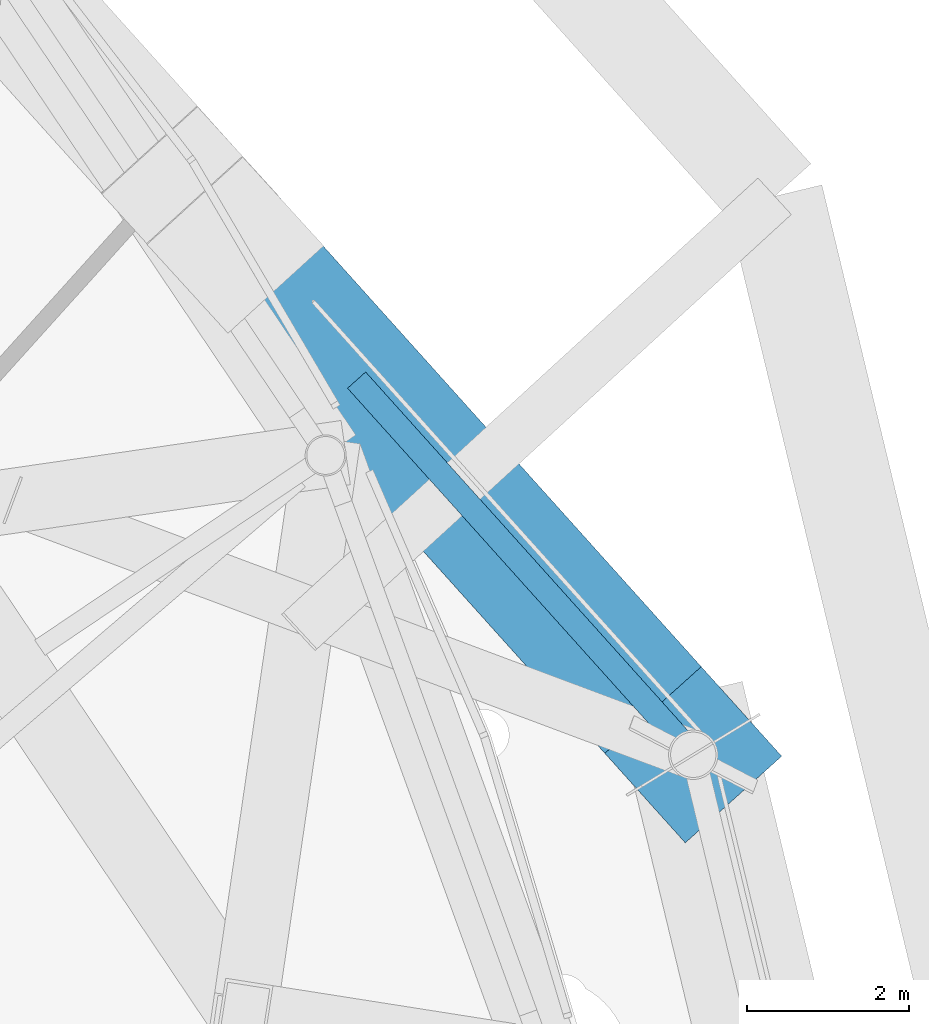
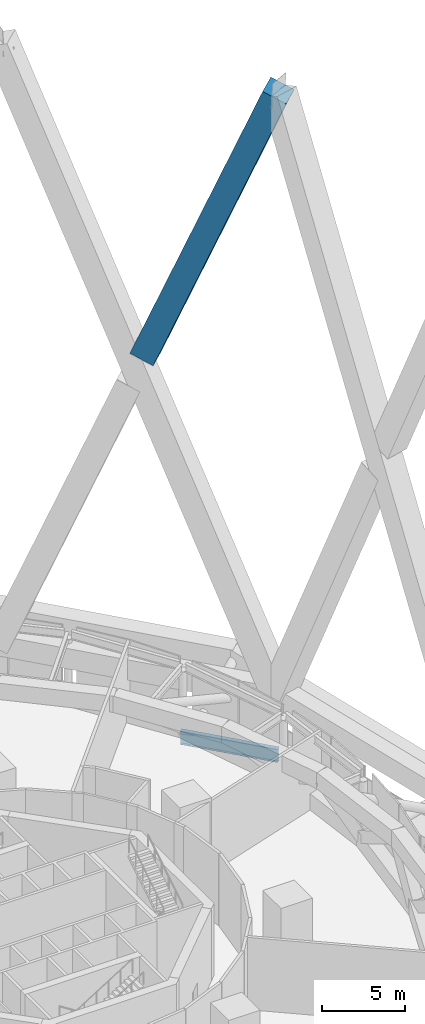
# One storey, part 37 of 65: 1 beam, 1 member.
"""IFC4 building model written with IfcOpenShell, lengths in metres."""

import ifcopenshell
import ifcopenshell.guid

model = None  # the IFC model being written
_history = None  # IfcOwnerHistory: only IFC2X3 demands one
_inside = {}  # id of a spatial element -> (the spatial element, [elements in it])
_under = {}  # id of a project, library or spatial element -> (it, [spatial elements below it])
_declared = {}  # id of a project -> (the project, [libraries it declares])
_typed = {}  # id of a type object -> (the type object, [elements of that type])
_made_of = {}  # id of a material, layer set ... -> (it, [elements and type objects made of it])


def new_model(schema):
    """Start an empty IFC model of exactly this schema.

    Asked for "IFC4X3", IfcOpenShell would pick the latest addendum, in which some entities
    have other attributes; the version numbers below select the first issue.
    IFC2X3 requires an IfcOwnerHistory on every rooted entity: one is made here for all.
    """
    global model, _history
    if schema == "IFC4X3":
        model = ifcopenshell.file(schema_version=(4, 3, 0, 0))
    else:
        model = ifcopenshell.file(schema=schema)
    _inside.clear()
    _under.clear()
    _declared.clear()
    _typed.clear()
    _made_of.clear()
    _history = None
    if model.schema == "IFC2X3":
        org = make("IfcOrganization", Name="unknown")
        user = make(
            "IfcPersonAndOrganization",
            ThePerson=make("IfcPerson", FamilyName="unknown"),
            TheOrganization=org,
        )
        app = make(
            "IfcApplication",
            ApplicationDeveloper=org,
            Version="unknown",
            ApplicationFullName="unknown",
            ApplicationIdentifier="unknown",
        )
        _history = make(
            "IfcOwnerHistory",
            OwningUser=user,
            OwningApplication=app,
            ChangeAction="ADDED",
            CreationDate=0,
        )
    return model


def make(cls, **values):
    """One entity of the class cls with the attributes given. An attribute that is None is left unset."""
    return model.create_entity(
        cls, **{name: value for name, value in values.items() if value is not None}
    )


def rooted(cls, **values):
    """An entity with a GlobalId (a new one), such as an element, a storey or a relation."""
    return make(cls, GlobalId=ifcopenshell.guid.new(), OwnerHistory=_history, **values)


def si_unit(unit_type, name, prefix=None):
    """IfcSIUnit, for example si_unit("LENGTHUNIT", "METRE", prefix="MILLI")."""
    return make("IfcSIUnit", UnitType=unit_type, Prefix=prefix, Name=name)


def assignment(units):
    """IfcUnitAssignment: the units of a project."""
    return None if units is None else make("IfcUnitAssignment", Units=units)


def point(xyz):
    """IfcCartesianPoint."""
    return None if xyz is None else make("IfcCartesianPoint", Coordinates=xyz)


def direction(xyz):
    """IfcDirection."""
    return None if xyz is None else make("IfcDirection", DirectionRatios=xyz)


def frame(location, z_axis=None, x_axis=None):
    """IfcAxis2Placement3D, a coordinate frame: its origin and axes. An axis left out is left unset."""
    return make(
        "IfcAxis2Placement3D",
        Location=point(location),
        Axis=direction(z_axis),
        RefDirection=direction(x_axis),
    )


def frame_2d(location, x_axis=None):
    """IfcAxis2Placement2D, a coordinate frame in the plane: its origin and x axis."""
    return make(
        "IfcAxis2Placement2D", Location=point(location), RefDirection=direction(x_axis)
    )


def origin():
    """The frame at (0, 0, 0) with its axes left unset."""
    return frame((0.0, 0.0, 0.0))


def origin_2d():
    """The frame at (0, 0) in the plane with its x axis left unset."""
    return frame_2d((0.0, 0.0))


def place(relative_to, where):
    """IfcLocalPlacement: puts the frame where relative to a parent placement (None: the world)."""
    return make(
        "IfcLocalPlacement", PlacementRelTo=relative_to, RelativePlacement=where
    )


def context(
    kind, dimensions, precision=None, world=None, true_north=None, identifier=None
):
    """IfcGeometricRepresentationContext, for example the 3D "Model" context."""
    return make(
        "IfcGeometricRepresentationContext",
        ContextIdentifier=identifier,
        ContextType=kind,
        CoordinateSpaceDimension=dimensions,
        Precision=precision,
        WorldCoordinateSystem=world,
        TrueNorth=true_north,
    )


def subcontext(parent, identifier, kind, view, scale=None):
    """IfcGeometricRepresentationSubContext, for example "Body" below "Model"."""
    return make(
        "IfcGeometricRepresentationSubContext",
        ContextIdentifier=identifier,
        ContextType=kind,
        ParentContext=parent,
        TargetScale=scale,
        TargetView=view,
    )


def project(units=None, contexts=None):
    """IfcProject with its units and contexts."""
    return rooted(
        "IfcProject",
        Name="project",
        RepresentationContexts=contexts,
        UnitsInContext=assignment(units),
    )


def spatial(cls, under=None, at=None, **own):
    """A site, building, storey or space (cls), placed at a placement, below another one or the project."""
    s = rooted(cls, ObjectPlacement=at, **own)
    if under is not None:
        _under.setdefault(under.id(), (under, []))[1].append(s)
    return s


def profile(cls, at=None, kind="AREA", **sizes):
    """A parametric profile (cls). Its sizes go by their IFC names, for example OverallWidth=200.0."""
    return make(cls, ProfileType=kind, Position=at, **sizes)


def rectangle(**sizes):
    """IfcRectangleProfileDef."""
    return profile("IfcRectangleProfileDef", **sizes)


def i_section(**sizes):
    """IfcIShapeProfileDef."""
    return profile("IfcIShapeProfileDef", **sizes)


def extrude(swept, where, along, depth):
    """IfcExtrudedAreaSolid: the profile swept, set in the frame where, extruded along a direction by depth."""
    return make(
        "IfcExtrudedAreaSolid",
        SweptArea=swept,
        Position=where,
        ExtrudedDirection=direction(along),
        Depth=depth,
    )


def shape(context_of_items, identifier, shape_type, items):
    """IfcShapeRepresentation: the items that make up one representation, for example the "Body"."""
    return make(
        "IfcShapeRepresentation",
        ContextOfItems=context_of_items,
        RepresentationIdentifier=identifier,
        RepresentationType=shape_type,
        Items=items,
    )


def material(Name=None, Category=None):
    """IfcMaterial."""
    return make("IfcMaterial", Name=Name, Category=Category)


def material_profile(
    of_material, cross_section, Name=None, Category=None, Priority=None
):
    """IfcMaterialProfile: a cross section and its material."""
    return make(
        "IfcMaterialProfile",
        Name=Name,
        Material=of_material,
        Profile=cross_section,
        Priority=Priority,
        Category=Category,
    )


def profile_set(profiles, Name=None, composite=None):
    """IfcMaterialProfileSet."""
    return make(
        "IfcMaterialProfileSet",
        Name=Name,
        MaterialProfiles=profiles,
        CompositeProfile=composite,
    )


def made_of(thing, what):
    """Note that an element or type object is made of a material, layer set ...; save() writes the relation."""
    if what is not None:
        _made_of.setdefault(what.id(), (what, []))[1].append(thing)
    return thing


def type_object(cls, material=None, **own):
    """A type object (cls), such as IfcWallType, which elements share."""
    return made_of(rooted(cls, **own), material)


def element(
    cls,
    number,
    at=None,
    inside=None,
    cuts=None,
    type_object=None,
    material=None,
    context=None,
    identifier="Body",
    shape_type=None,
    held_by="IfcProductDefinitionShape",
    body=None,
    shapes=None,
    **own,
):
    """One element of the class cls, such as IfcWall. Its Tag is "e" and its number.

    at: its placement. inside: the storey or other place that contains it. cuts: it is an
    opening in that element (IfcRelVoidsElement). A single representation is given by context,
    identifier, shape_type and body (its items); several are given by shapes. held_by: the class
    of the entity that holds the representations. save() writes the other relations.
    """
    e = rooted(cls, Tag="e%d" % number, ObjectPlacement=at, **own)
    if body is not None:
        shapes = [shape(context, identifier, shape_type, body)]
    if shapes is not None:
        e.Representation = make(held_by, Representations=shapes)
    if inside is not None:
        _inside.setdefault(inside.id(), (inside, []))[1].append(e)
    if cuts is not None:
        rooted(
            "IfcRelVoidsElement", RelatingBuildingElement=cuts, RelatedOpeningElement=e
        )
    if type_object is not None:
        _typed.setdefault(type_object.id(), (type_object, []))[1].append(e)
    return made_of(e, material)


def aggregate(whole, parts):
    """IfcRelAggregates: a whole, such as a stair, and the parts it consists of."""
    return rooted("IfcRelAggregates", RelatingObject=whole, RelatedObjects=parts)


def save(model, path):
    """Write the relations noted so far, then the file.

    IfcRelAggregates (storeys below a building ...), IfcRelContainedInSpatialStructure (elements
    in a storey), IfcRelDefinesByType, IfcRelAssociatesMaterial and IfcRelDeclares: one each for
    every whole, place, type object, material and project.
    """
    for whole, parts in _under.values():
        aggregate(whole, parts)
    for where, things in _inside.values():
        rooted(
            "IfcRelContainedInSpatialStructure",
            RelatedElements=things,
            RelatingStructure=where,
        )
    for kind, things in _typed.values():
        rooted("IfcRelDefinesByType", RelatedObjects=things, RelatingType=kind)
    for what, things in _made_of.values():
        rooted("IfcRelAssociatesMaterial", RelatedObjects=things, RelatingMaterial=what)
    for by, libraries in _declared.values():
        rooted("IfcRelDeclares", RelatingContext=by, RelatedDefinitions=libraries)
    model.write(path)


model = new_model("IFC4")

# Units and contexts
model_context = context("Model", 3, precision=1e-05, world=origin(), true_north=direction((0.0, 1.0)))
body_context = subcontext(model_context, "Body", "Model", "MODEL_VIEW")
ifc_project = project(units=[si_unit("LENGTHUNIT", "METRE"), si_unit("AREAUNIT", "SQUARE_METRE"), si_unit("VOLUMEUNIT", "CUBIC_METRE"), si_unit("PLANEANGLEUNIT", "RADIAN"), si_unit("MASSUNIT", "GRAM", prefix="KILO")], contexts=[model_context])

# Site, building, storey
site_placement = place(None, origin())
site = spatial("IfcSite", under=ifc_project, at=site_placement, CompositionType="ELEMENT")
building_placement = place(site_placement, origin())
building = spatial("IfcBuilding", under=site, at=building_placement, Name="Nagisa Residences", CompositionType="ELEMENT")
storey_placement = place(building_placement, frame((0.0, 0.0, 114.0)))
storey = spatial("IfcBuildingStorey", under=building, at=storey_placement, Name="L28", CompositionType="ELEMENT", Elevation=114.0)

# Member
ifc_material_1 = material(Name="Concrete C80", Category="concrete")
ifc_material_profile_1 = material_profile(ifc_material_1, rectangle(XDim=1.60009765625, YDim=1.60009765625, at=origin_2d()), Name="C80 1600x1600")
ifc_profile_set_1 = profile_set([ifc_material_profile_1], Name="Concrete C80")
member_type = type_object("IfcMemberType", Name="Cage diagonal 3 C80 1600x1600", PredefinedType="BRACE", material=ifc_profile_set_1)
member_placement = place(storey_placement, frame((20.636474609375, 21.220703125, 27.010498046875), z_axis=(0.247778247414, -0.275739575874, 0.928748419329), x_axis=(0.743813506148, 0.668387214175, 0.0)))
element("IfcMember", 1, at=member_placement, inside=storey, type_object=member_type, Name="mem:L28:cg3d004b", PredefinedType="BRACE", context=body_context, shape_type="SweptSolid", body=[
    extrude(rectangle(XDim=1.60009765625, YDim=1.60009765625, at=origin_2d()), origin(), (0.0, 0.0, 1.0), 22.81494140625),
])

# Beam
ifc_material_2 = material(Name="Steel ASTM A572 Gr 50", Category="steel")
ifc_material_profile_2 = material_profile(ifc_material_2, i_section(OverallWidth=0.300048828125, OverallDepth=0.97998046875, WebThickness=0.0166015625, FlangeThickness=0.02587890625, at=origin_2d()), Name="W1000x249")
ifc_profile_set_2 = profile_set([ifc_material_profile_2], Name="Steel ASTM A572 Gr 50")
beam_type = type_object("IfcBeamType", Name="Deck edge beam W1000x249", PredefinedType="BEAM", material=ifc_profile_set_2)
beam_placement = place(storey_placement, frame((26.28955078125, 14.9296875, -0.889892578125), z_axis=(-0.668370188054, 0.743828805385, 0.0), x_axis=(-0.743828805385, -0.668370188054, 0.0)))
element("IfcBeam", 2, at=beam_placement, inside=storey, type_object=beam_type, Name="beam:L28:deckedge02", PredefinedType="BEAM", context=body_context, shape_type="SweptSolid", body=[
    extrude(i_section(OverallWidth=0.300048828125, OverallDepth=0.97998046875, WebThickness=0.0166015625, FlangeThickness=0.02587890625, at=origin_2d()), origin(), (0.0, 0.0, 1.0), 6.218505859375),
])

save(model, "model.ifc")
